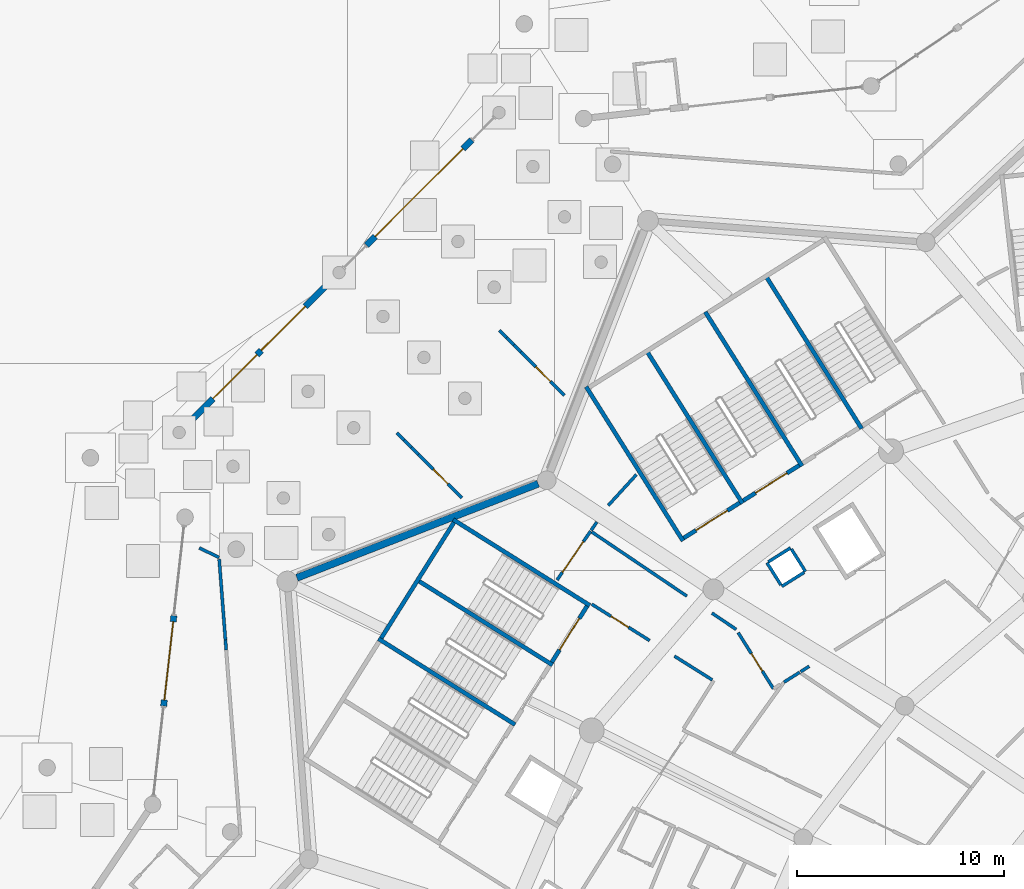
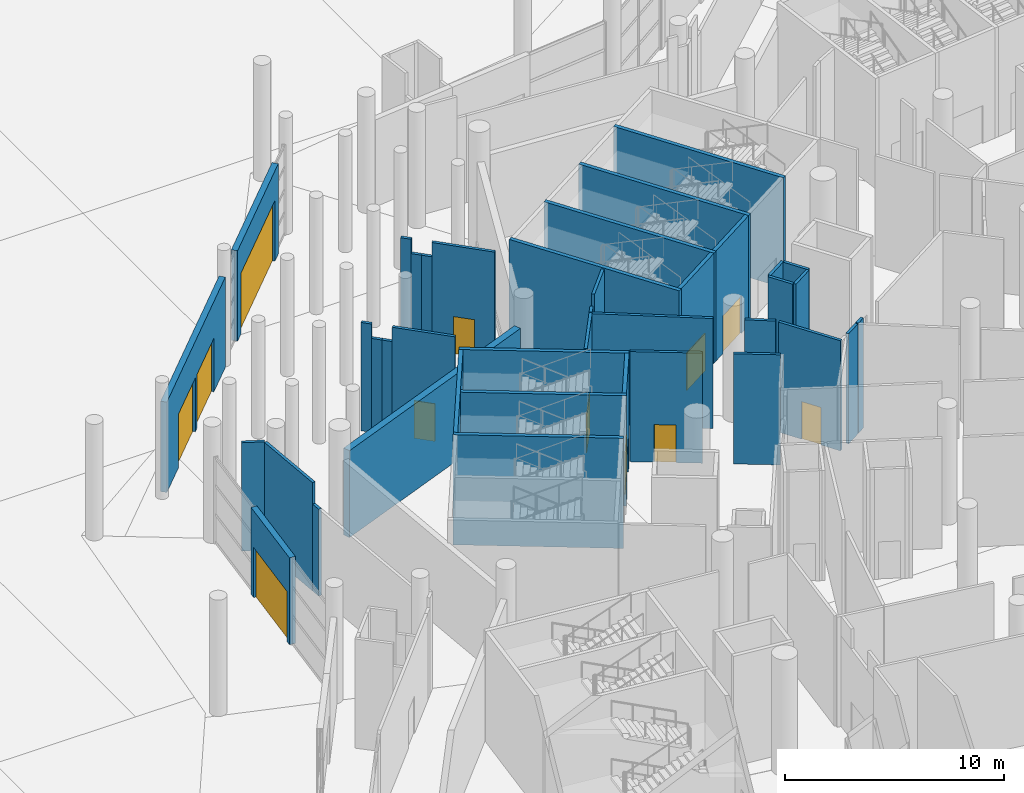
# One storey, part 138 of 255: 40 walls, 12 doors, 12 openings.
"""IFC4 building model written with IfcOpenShell, lengths in metres."""

from ifc_helpers import new_model, si_unit, direction, frame, frame_2d, origin, place, context, subcontext, project, spatial, rectangle, extrude, material, layer, layer_set, type_object, element, fill, save


model = new_model("IFC4")

# Units and contexts
model_context = context("Model", 3, precision=1e-05, world=origin(), true_north=direction((0.0, 1.0)))
body_context = subcontext(model_context, "Body", "Model", "MODEL_VIEW")
ifc_project = project(units=[si_unit("LENGTHUNIT", "METRE"), si_unit("AREAUNIT", "SQUARE_METRE"), si_unit("VOLUMEUNIT", "CUBIC_METRE"), si_unit("PLANEANGLEUNIT", "RADIAN"), si_unit("MASSUNIT", "GRAM", prefix="KILO")], contexts=[model_context])

# Site, building, storey
site_placement = place(None, origin())
site = spatial("IfcSite", under=ifc_project, at=site_placement, CompositionType="ELEMENT")
building_placement = place(site_placement, origin())
building = spatial("IfcBuilding", under=site, at=building_placement, Name="Meseta Stadium", CompositionType="ELEMENT")
storey_placement = place(building_placement, origin())
storey = spatial("IfcBuildingStorey", under=building, at=storey_placement, Name="L00", CompositionType="ELEMENT", Elevation=0.0)

# Walls
ifc_material_1 = material(Name="Concrete C40/50", Category="concrete")
ifc_layer_1 = layer(ifc_material_1, 0.199951171875)
ifc_layer_set_1 = layer_set([ifc_layer_1], Name="Core divider wall 200")
wall_type_1 = type_object("IfcWallType", Name="Core divider wall 200", PredefinedType="SHEAR", material=ifc_layer_set_1)
wall_1_placement = place(storey_placement, frame((-69.8291015625, 94.314453125, 0.0), z_axis=(0.0, 0.0, 1.0), x_axis=(0.532032334759, -0.846724036963, 0.0)))
element("IfcWall", 1, at=wall_1_placement, inside=storey, type_object=wall_type_1, Name="Core 13 L00 stair A divider wall", PredefinedType="SHEAR", context=body_context, shape_type="SweptSolid", body=[
    extrude(rectangle(XDim=8.800048828125, YDim=0.199951171875, at=frame_2d((4.39990234375, 0.0))), origin(), (0.0, 0.0, 1.0), 6.14990234375),
])
wall_2_placement = place(storey_placement, frame((-75.5869140625, 90.696533203125, 0.0), z_axis=(0.0, 0.0, 1.0), x_axis=(0.532044832901, -0.846716183726, 0.0)))
element("IfcWall", 2, at=wall_2_placement, inside=storey, type_object=wall_type_1, Name="Core 13 L00 stair B divider wall", PredefinedType="SHEAR", context=body_context, shape_type="SweptSolid", body=[
    extrude(rectangle(XDim=8.7998046875, YDim=0.199951171875, at=frame_2d((4.39990234375, 0.0))), origin(), (0.0, 0.0, 1.0), 6.14990234375),
])
wall_3_placement = place(storey_placement, frame((-86.696533203125, 79.5869140625, 0.0), z_axis=(0.0, 0.0, 1.0), x_axis=(0.846713903605, -0.532048461553, 0.0)))
element("IfcWall", 3, at=wall_3_placement, inside=storey, type_object=wall_type_1, Name="Core 14 L00 stair A divider wall", PredefinedType="SHEAR", context=body_context, shape_type="SweptSolid", body=[
    extrude(rectangle(XDim=7.7998046875, YDim=0.199951171875, at=frame_2d((3.89990234375, 0.0))), origin(), (0.0, 0.0, 1.0), 6.14990234375),
])
ifc_material_2 = material(Name="Concrete C40/50", Category="concrete")
ifc_layer_2 = layer(ifc_material_2, 0.199951171875)
ifc_layer_set_2 = layer_set([ifc_layer_2], Name="Core shaft wall 200")
wall_type_2 = type_object("IfcWallType", Name="Core shaft wall 200", PredefinedType="SHEAR", material=ifc_layer_set_2)
for number, where, z_axis, x_axis, name in (
    (4, (-72.7080078125, 92.505615234375, 0.0), (0.0, 0.0, 1.0), (0.532032334759, -0.846724036963, 0.0), "Core 13 L00 stair wall shared"),
    (5, (-78.4658203125, 88.8876953125, 0.0), (0.0, 0.0, 1.0), (0.532032334759, -0.846724036963, 0.0), "Core 13 L00 stair wall B-side"),
):
    element("IfcWall", number, at=place(storey_placement, frame(where, z_axis=z_axis, x_axis=x_axis)), inside=storey, type_object=wall_type_2, Name=name, PredefinedType="SHEAR", context=body_context, shape_type="SweptSolid", body=[
        extrude(rectangle(XDim=8.800048828125, YDim=0.199951171875, at=frame_2d((4.39990234375, 0.0))), origin(), (0.0, 0.0, 1.0), 6.14990234375),
    ])

# Wall, opening, door
wall_4_placement = place(storey_placement, frame((-68.1640625, 85.0859375, 0.0), z_axis=(0.0, 0.0, 1.0), x_axis=(-0.84670136309, -0.53206841829, 0.0)))
wall_4 = element("IfcWall", 6, at=wall_4_placement, inside=storey, type_object=wall_type_2, Name="Core 13 L00 stair B1 inner end wall", PredefinedType="SHEAR", context=body_context, shape_type="SweptSolid", body=[
    extrude(rectangle(XDim=3.199951171875, YDim=0.199951171875, at=frame_2d((1.60009765625, 0.0))), origin(), (0.0, 0.0, 1.0), 6.14990234375),
])
opening_1_placement = place(wall_4_placement, frame((0.699951171875, 0.0, 0.0)))
opening_1 = element("IfcOpeningElement", 7, at=opening_1_placement, cuts=wall_4, Name="Opening D181", PredefinedType="OPENING", context=body_context, shape_type="SweptSolid", body=[
    extrude(rectangle(XDim=1.800048828125, YDim=2.10009765625, at=frame_2d((0.89990234375, 1.050048828125))), frame((0.0, 0.10986328125, 0.0), z_axis=(0.0, -1.0, 0.0), x_axis=(1.0, 0.0, 0.0)), (0.0, 0.0, 1.0), 0.219970703125),
])
ifc_material_3 = material(Name="Steel", Category="steel")
door_type_1 = type_object("IfcDoorType", Name="Stair door 1800x2100", OperationType="DOUBLE_DOOR_SINGLE_SWING", PredefinedType="DOOR", material=ifc_material_3)
door_1_placement = place(opening_1_placement, origin())
door_1 = element("IfcDoor", 8, at=door_1_placement, inside=storey, type_object=door_type_1, Name="Stair B1 door 13 L00", OperationType="DOUBLE_DOOR_SINGLE_SWING", OverallHeight=2.10009765625, OverallWidth=1.800048828125, PredefinedType="DOOR", context=body_context, shape_type="SweptSolid", body=[
    extrude(rectangle(XDim=1.800048828125, YDim=2.10009765625, at=frame_2d((0.89990234375, 1.050048828125))), frame((0.0, 0.02490234375, 0.0), z_axis=(0.0, -1.0, 0.0), x_axis=(1.0, 0.0, 0.0)), (0.0, 0.0, 1.0), 0.050048828125),
])
fill(opening_1, door_1)

wall_5_placement = place(storey_placement, frame((-71.04296875, 83.27685546875, 0.0), z_axis=(0.0, 0.0, 1.0), x_axis=(-0.846735733015, -0.532013720158, 0.0)))
wall_5 = element("IfcWall", 9, at=wall_5_placement, inside=storey, type_object=wall_type_2, Name="Core 13 L00 stair B2 inner end wall", PredefinedType="SHEAR", context=body_context, shape_type="SweptSolid", body=[
    extrude(rectangle(XDim=3.199951171875, YDim=0.199951171875, at=frame_2d((1.60009765625, 0.0))), origin(), (0.0, 0.0, 1.0), 6.14990234375),
])
opening_2_placement = place(wall_5_placement, frame((0.699951171875, 0.0, 0.0)))
opening_2 = element("IfcOpeningElement", 10, at=opening_2_placement, cuts=wall_5, Name="Opening D182", PredefinedType="OPENING", context=body_context, shape_type="SweptSolid", body=[
    extrude(rectangle(XDim=1.800048828125, YDim=2.10009765625, at=frame_2d((0.89990234375, 1.050048828125))), frame((0.0, 0.10986328125, 0.0), z_axis=(0.0, -1.0, 0.0), x_axis=(1.0, 0.0, 0.0)), (0.0, 0.0, 1.0), 0.219970703125),
])
door_2_placement = place(opening_2_placement, origin())
door_2 = element("IfcDoor", 11, at=door_2_placement, inside=storey, type_object=door_type_1, Name="Stair B2 door 13 L00", OperationType="DOUBLE_DOOR_SINGLE_SWING", OverallHeight=2.10009765625, OverallWidth=1.800048828125, PredefinedType="DOOR", context=body_context, shape_type="SweptSolid", body=[
    extrude(rectangle(XDim=1.800048828125, YDim=2.10009765625, at=frame_2d((0.89990234375, 1.050048828125))), frame((0.0, 0.02490234375, 0.0), z_axis=(0.0, -1.0, 0.0), x_axis=(1.0, 0.0, 0.0)), (0.0, 0.0, 1.0), 0.050048828125),
])
fill(opening_2, door_2)

# Walls
for number, where, z_axis, x_axis, name in (
    (12, (-84.8876953125, 82.4658203125, 0.0), (0.0, 0.0, 1.0), (0.846722763703, -0.532034361135, 0.0), "Core 14 L00 stair wall A-side"),
    (13, (-88.505615234375, 76.7080078125, 0.0), (0.0, 0.0, 1.0), (0.846722763703, -0.532034361135, 0.0), "Core 14 L00 stair wall shared"),
):
    element("IfcWall", number, at=place(storey_placement, frame(where, z_axis=z_axis, x_axis=x_axis)), inside=storey, type_object=wall_type_2, Name=name, PredefinedType="SHEAR", context=body_context, shape_type="SweptSolid", body=[
        extrude(rectangle(XDim=7.800048828125, YDim=0.199951171875, at=frame_2d((3.89990234375, 0.0))), origin(), (0.0, 0.0, 1.0), 6.14990234375),
    ])
wall_6_placement = place(storey_placement, frame((-84.856201171875, 82.327880859375, 0.0), z_axis=(0.0, 0.0, 1.0), x_axis=(-0.532038964807, -0.846719870989, 0.0)))
element("IfcWall", 14, at=wall_6_placement, inside=storey, type_object=wall_type_2, Name="Core 14 L00 stair A outer end wall", PredefinedType="SHEAR", context=body_context, shape_type="SweptSolid", body=[
    extrude(rectangle(XDim=6.60009765625, YDim=0.199951171875, at=frame_2d((3.300048828125, 0.0))), origin(), (0.0, 0.0, 1.0), 6.14990234375),
])

# Wall, opening, door
wall_7_placement = place(storey_placement, frame((-78.421142578125, 78.284423828125, 0.0), z_axis=(0.0, 0.0, 1.0), x_axis=(-0.53206841829, -0.84670136309, 0.0)))
wall_7 = element("IfcWall", 15, at=wall_7_placement, inside=storey, type_object=wall_type_2, Name="Core 14 L00 stair A1 inner end wall", PredefinedType="SHEAR", context=body_context, shape_type="SweptSolid", body=[
    extrude(rectangle(XDim=3.199951171875, YDim=0.199951171875, at=frame_2d((1.60009765625, 0.0))), origin(), (0.0, 0.0, 1.0), 6.14990234375),
])
opening_3_placement = place(wall_7_placement, frame((0.699951171875, 0.0, 0.0)))
opening_3 = element("IfcOpeningElement", 16, at=opening_3_placement, cuts=wall_7, Name="Opening D191", PredefinedType="OPENING", context=body_context, shape_type="SweptSolid", body=[
    extrude(rectangle(XDim=1.800048828125, YDim=2.10009765625, at=frame_2d((0.89990234375, 1.050048828125))), frame((0.0, 0.10986328125, 0.0), z_axis=(0.0, -1.0, 0.0), x_axis=(1.0, 0.0, 0.0)), (0.0, 0.0, 1.0), 0.219970703125),
])
door_3_placement = place(opening_3_placement, origin())
door_3 = element("IfcDoor", 17, at=door_3_placement, inside=storey, type_object=door_type_1, Name="Stair A1 door 14 L00", OperationType="DOUBLE_DOOR_SINGLE_SWING", OverallHeight=2.10009765625, OverallWidth=1.800048828125, PredefinedType="DOOR", context=body_context, shape_type="SweptSolid", body=[
    extrude(rectangle(XDim=1.800048828125, YDim=2.10009765625, at=frame_2d((0.89990234375, 1.050048828125))), frame((0.0, 0.02490234375, 0.0), z_axis=(0.0, -1.0, 0.0), x_axis=(1.0, 0.0, 0.0)), (0.0, 0.0, 1.0), 0.050048828125),
])
fill(opening_3, door_3)

ifc_material_4 = material(Name="Precast concrete C40/50", Category="concrete")
ifc_layer_3 = layer(ifc_material_4, 0.300048828125)
ifc_layer_set_3 = layer_set([ifc_layer_3], Name="Gate facade panel wall 300")
wall_type_3 = type_object("IfcWallType", Name="Gate facade panel wall 300", PredefinedType="SOLIDWALL", material=ifc_layer_set_3)
wall_8_placement = place(storey_placement, frame((-89.086181640625, 95.726318359375, 0.0), z_axis=(0.0, 0.0, 1.0), x_axis=(0.707106781187, 0.707106781187, 0.0)))
wall_8 = element("IfcWall", 18, at=wall_8_placement, inside=storey, type_object=wall_type_3, Name="Gate 4 entrance wall", PredefinedType="SOLIDWALL", context=body_context, shape_type="SweptSolid", body=[
    extrude(rectangle(XDim=7.199951171875, YDim=0.300048828125, at=frame_2d((3.60009765625, 0.0))), origin(), (0.0, 0.0, 1.0), 5.050048828125),
])
opening_4_placement = place(wall_8_placement, frame((0.60009765625, 0.0, 0.0)))
opening_4 = element("IfcOpeningElement", 19, at=opening_4_placement, cuts=wall_8, Name="Opening D014", PredefinedType="OPENING", context=body_context, shape_type="SweptSolid", body=[
    extrude(rectangle(XDim=6.0, YDim=3.39990234375, at=frame_2d((3.0, 1.699951171875))), frame((0.0, 0.159912109375, 0.0), z_axis=(0.0, -1.0, 0.0), x_axis=(1.0, 0.0, 0.0)), (0.0, 0.0, 1.0), 0.320068359375),
])
ifc_material_5 = material(Name="Steel", Category="steel")
door_type_2 = type_object("IfcDoorType", Name="Main entrance door 6000x3400", OperationType="DOUBLE_DOOR_SINGLE_SWING", PredefinedType="DOOR", material=ifc_material_5)
door_4_placement = place(opening_4_placement, origin())
door_4 = element("IfcDoor", 20, at=door_4_placement, inside=storey, type_object=door_type_2, Name="Main entrance E4", OperationType="DOUBLE_DOOR_SINGLE_SWING", OverallHeight=3.39990234375, OverallWidth=6.0, PredefinedType="DOOR", context=body_context, shape_type="SweptSolid", body=[
    extrude(rectangle(XDim=6.0, YDim=3.39990234375, at=frame_2d((3.0, 1.699951171875))), frame((0.0, 0.02490234375, 0.0), z_axis=(0.0, -1.0, 0.0), x_axis=(1.0, 0.0, 0.0)), (0.0, 0.0, 1.0), 0.050048828125),
])
fill(opening_4, door_4)

# Wall, openings, doors
wall_9_placement = place(storey_placement, frame((-97.925537109375, 86.88720703125, 0.0), z_axis=(0.0, 0.0, 1.0), x_axis=(0.707118593961, 0.707094968215, 0.0)))
wall_9 = element("IfcWall", 21, at=wall_9_placement, inside=storey, type_object=wall_type_3, Name="Gate 4 entrance wall", PredefinedType="SOLIDWALL", context=body_context, shape_type="SweptSolid", body=[
    extrude(rectangle(XDim=10.333740234375, YDim=0.300048828125, at=frame_2d((5.1669921875, 0.0))), origin(), (0.0, 0.0, 1.0), 5.050048828125),
])
opening_5_placement = place(wall_9_placement, frame((5.31689453125, 0.0, 0.0)))
opening_5 = element("IfcOpeningElement", 22, at=opening_5_placement, cuts=wall_9, Name="Opening D015", PredefinedType="OPENING", context=body_context, shape_type="SweptSolid", body=[
    extrude(rectangle(XDim=3.0, YDim=3.0, at=frame_2d((1.5, 1.5))), frame((0.0, 0.159912109375, 0.0), z_axis=(0.0, -1.0, 0.0), x_axis=(1.0, 0.0, 0.0)), (0.0, 0.0, 1.0), 0.320068359375),
])
opening_6_placement = place(wall_9_placement, frame((2.016845703125, 0.0, 0.0)))
opening_6 = element("IfcOpeningElement", 23, at=opening_6_placement, cuts=wall_9, Name="Opening D016", PredefinedType="OPENING", context=body_context, shape_type="SweptSolid", body=[
    extrude(rectangle(XDim=3.0, YDim=3.0, at=frame_2d((1.5, 1.5))), frame((0.0, 0.159912109375, 0.0), z_axis=(0.0, -1.0, 0.0), x_axis=(1.0, 0.0, 0.0)), (0.0, 0.0, 1.0), 0.320068359375),
])
ifc_material_6 = material(Name="Steel", Category="steel")
door_type_3 = type_object("IfcDoorType", Name="Pedestrian exit door 3000x3000", OperationType="DOUBLE_DOOR_SINGLE_SWING", PredefinedType="DOOR", material=ifc_material_6)
door_5_placement = place(opening_5_placement, origin())
door_5 = element("IfcDoor", 24, at=door_5_placement, inside=storey, type_object=door_type_3, Name="Pedestrian exit gate G4", OperationType="DOUBLE_DOOR_SINGLE_SWING", OverallHeight=3.0, OverallWidth=3.0, PredefinedType="DOOR", context=body_context, shape_type="SweptSolid", body=[
    extrude(rectangle(XDim=3.0, YDim=3.0, at=frame_2d((1.5, 1.5))), frame((0.0, 0.02490234375, 0.0), z_axis=(0.0, -1.0, 0.0), x_axis=(1.0, 0.0, 0.0)), (0.0, 0.0, 1.0), 0.050048828125),
])
fill(opening_5, door_5)
door_6_placement = place(opening_6_placement, origin())
door_6 = element("IfcDoor", 25, at=door_6_placement, inside=storey, type_object=door_type_3, Name="Pedestrian exit gate G4", OperationType="DOUBLE_DOOR_SINGLE_SWING", OverallHeight=3.0, OverallWidth=3.0, PredefinedType="DOOR", context=body_context, shape_type="SweptSolid", body=[
    extrude(rectangle(XDim=3.0, YDim=3.0, at=frame_2d((1.5, 1.5))), frame((0.0, 0.02490234375, 0.0), z_axis=(0.0, -1.0, 0.0), x_axis=(1.0, 0.0, 0.0)), (0.0, 0.0, 1.0), 0.050048828125),
])
fill(opening_6, door_6)

# Wall, opening, door
ifc_material_7 = material(Name="Masonry blockwork", Category="masonry")
ifc_layer_4 = layer(ifc_material_7, 0.14990234375)
ifc_layer_set_4 = layer_set([ifc_layer_4], Name="Partition 150")
wall_type_4 = type_object("IfcWallType", Name="Partition 150", PredefinedType="PARTITIONING", material=ifc_layer_set_4)
wall_10_placement = place(storey_placement, frame((-79.519287109375, 88.468994140625, 0.0), z_axis=(0.0, 0.0, 1.0), x_axis=(-0.707106781187, 0.707106781187, 0.0)))
wall_10 = element("IfcWall", 26, at=wall_10_placement, inside=storey, type_object=wall_type_4, Name="Partition L00 G4-L00-0-SecurityScreening-0", PredefinedType="PARTITIONING", context=body_context, shape_type="SweptSolid", body=[
    extrude(rectangle(XDim=2.96435546875, YDim=0.14990234375, at=frame_2d((1.482177734375, 0.0))), origin(), (0.0, 0.0, 1.0), 6.050048828125),
])
opening_7_placement = place(wall_10_placement, frame((0.949951171875, 0.0, 0.0)))
opening_7 = element("IfcOpeningElement", 27, at=opening_7_placement, cuts=wall_10, Name="Opening D521", PredefinedType="OPENING", context=body_context, shape_type="SweptSolid", body=[
    extrude(rectangle(XDim=1.0, YDim=2.10009765625, at=frame_2d((0.5, 1.050048828125))), frame((0.0, 0.0849609375, 0.0), z_axis=(0.0, -1.0, 0.0), x_axis=(1.0, 0.0, 0.0)), (0.0, 0.0, 1.0), 0.169921875),
])
ifc_material_8 = material(Name="Steel", Category="steel")
door_type_4 = type_object("IfcDoorType", Name="Fire door 1000x2100 EI2 60", OperationType="NOTDEFINED", PredefinedType="DOOR", material=ifc_material_8)
door_7_placement = place(opening_7_placement, origin())
door_7 = element("IfcDoor", 28, at=door_7_placement, inside=storey, type_object=door_type_4, Name="Door D521", OperationType="SINGLE_SWING_RIGHT", OverallHeight=2.10009765625, OverallWidth=1.0, PredefinedType="DOOR", context=body_context, shape_type="SweptSolid", body=[
    extrude(rectangle(XDim=1.0, YDim=2.10009765625, at=frame_2d((0.5, 1.050048828125))), frame((0.0, 0.02490234375, 0.0), z_axis=(0.0, -1.0, 0.0), x_axis=(1.0, 0.0, 0.0)), (0.0, 0.0, 1.0), 0.050048828125),
])
fill(opening_7, door_7)

# Walls
for number, where, z_axis, x_axis, name in (
    (29, (-81.615478515625, 90.565185546875, 0.0), (0.0, 0.0, 1.0), (-0.707106781187, 0.707106781187, 0.0), "Partition L00 G4-L00-0-SecurityScreening-0"),
    (30, (-81.96484375, 90.91455078125, 0.0), (0.0, 0.0, 1.0), (-0.707106781187, 0.707106781187, 0.0), "Partition L00 G4-L00-0-SecurityScreening-0"),
):
    element("IfcWall", number, at=place(storey_placement, frame(where, z_axis=z_axis, x_axis=x_axis)), inside=storey, type_object=wall_type_4, Name=name, PredefinedType="PARTITIONING", context=body_context, shape_type="SweptSolid", body=[
        extrude(rectangle(XDim=0.494140625, YDim=0.14990234375, at=frame_2d((0.2470703125, 0.0))), origin(), (0.0, 0.0, 1.0), 5.25),
    ])
wall_11_placement = place(storey_placement, frame((-82.314208984375, 91.263916015625, 0.0), z_axis=(0.0, 0.0, 1.0), x_axis=(-0.707106781187, 0.707106781187, 0.0)))
element("IfcWall", 31, at=wall_11_placement, inside=storey, type_object=wall_type_4, Name="Partition L00 G4-L00-0-SecurityScreening-0", PredefinedType="PARTITIONING", context=body_context, shape_type="SweptSolid", body=[
    extrude(rectangle(XDim=0.494140625, YDim=0.14990234375, at=frame_2d((0.2470703125, 0.0))), origin(), (0.0, 0.0, 1.0), 6.050048828125),
])

# Wall, opening, door
wall_12_placement = place(storey_placement, frame((-86.565185546875, 85.615478515625, 0.0), z_axis=(0.0, 0.0, 1.0), x_axis=(0.707106781187, -0.707106781187, 0.0)))
wall_12 = element("IfcWall", 32, at=wall_12_placement, inside=storey, type_object=wall_type_4, Name="Partition L00 G4-L00-1-TicketHall-0", PredefinedType="PARTITIONING", context=body_context, shape_type="SweptSolid", body=[
    extrude(rectangle(XDim=2.96435546875, YDim=0.14990234375, at=frame_2d((1.482177734375, 0.0))), origin(), (0.0, 0.0, 1.0), 6.050048828125),
])
opening_8_placement = place(wall_12_placement, frame((1.014404296875, 0.0, 0.0)))
opening_8 = element("IfcOpeningElement", 33, at=opening_8_placement, cuts=wall_12, Name="Opening D522", PredefinedType="OPENING", context=body_context, shape_type="SweptSolid", body=[
    extrude(rectangle(XDim=1.0, YDim=2.10009765625, at=frame_2d((0.5, 1.050048828125))), frame((0.0, 0.0849609375, 0.0), z_axis=(0.0, -1.0, 0.0), x_axis=(1.0, 0.0, 0.0)), (0.0, 0.0, 1.0), 0.169921875),
])
door_8_placement = place(opening_8_placement, origin())
door_8 = element("IfcDoor", 34, at=door_8_placement, inside=storey, type_object=door_type_4, Name="Door D522", OperationType="SINGLE_SWING_RIGHT", OverallHeight=2.10009765625, OverallWidth=1.0, PredefinedType="DOOR", context=body_context, shape_type="SweptSolid", body=[
    extrude(rectangle(XDim=1.0, YDim=2.10009765625, at=frame_2d((0.5, 1.050048828125))), frame((0.0, 0.02490234375, 0.0), z_axis=(0.0, -1.0, 0.0), x_axis=(1.0, 0.0, 0.0)), (0.0, 0.0, 1.0), 0.050048828125),
])
fill(opening_8, door_8)

# Walls
for number, where, z_axis, x_axis, name in (
    (35, (-86.565185546875, 85.615478515625, 0.0), (0.0, 0.0, 1.0), (-0.707106781187, 0.707106781187, 0.0), "Partition L00 G4-L00-1-TicketHall-0"),
    (36, (-86.91455078125, 85.96484375, 0.0), (0.0, 0.0, 1.0), (-0.707106781187, 0.707106781187, 0.0), "Partition L00 G4-L00-1-TicketHall-0"),
):
    element("IfcWall", number, at=place(storey_placement, frame(where, z_axis=z_axis, x_axis=x_axis)), inside=storey, type_object=wall_type_4, Name=name, PredefinedType="PARTITIONING", context=body_context, shape_type="SweptSolid", body=[
        extrude(rectangle(XDim=0.494140625, YDim=0.14990234375, at=frame_2d((0.2470703125, 0.0))), origin(), (0.0, 0.0, 1.0), 5.25),
    ])
wall_13_placement = place(storey_placement, frame((-87.263916015625, 86.314208984375, 0.0), z_axis=(0.0, 0.0, 1.0), x_axis=(-0.707106781187, 0.707106781187, 0.0)))
element("IfcWall", 37, at=wall_13_placement, inside=storey, type_object=wall_type_4, Name="Partition L00 G4-L00-1-TicketHall-0", PredefinedType="PARTITIONING", context=body_context, shape_type="SweptSolid", body=[
    extrude(rectangle(XDim=0.494140625, YDim=0.14990234375, at=frame_2d((0.2470703125, 0.0))), origin(), (0.0, 0.0, 1.0), 6.050048828125),
])
wall_14_placement = place(storey_placement, frame((-68.9052734375, 74.60693359375, 0.0), z_axis=(0.0, 0.0, 1.0), x_axis=(0.846685421886, 0.532093785311, 0.0)))
element("IfcWall", 38, at=wall_14_placement, inside=storey, type_object=wall_type_4, Name="Partition L00 L00-cell12-1-0b1", PredefinedType="PARTITIONING", context=body_context, shape_type="SweptSolid", body=[
    extrude(rectangle(XDim=0.900146484375, YDim=0.14990234375, at=frame_2d((0.4501953125, 0.0))), origin(), (0.0, 0.0, 1.0), 6.14990234375),
])
wall_15_placement = place(storey_placement, frame((-68.0966796875, 75.114990234375, 0.0), z_axis=(0.0, 0.0, 1.0), x_axis=(0.8466172136, 0.532202305178, 0.0)))
element("IfcWall", 39, at=wall_15_placement, inside=storey, type_object=wall_type_4, Name="Partition L00 L00-cell12-1-0w", PredefinedType="PARTITIONING", context=body_context, shape_type="SweptSolid", body=[
    extrude(rectangle(XDim=0.487548828125, YDim=0.14990234375, at=frame_2d((0.24365234375, 0.0))), origin(), (0.0, 0.0, 1.0), 6.14990234375),
])

# Wall, opening, door
wall_16_placement = place(storey_placement, frame((-78.249267578125, 81.908203125, 0.0), z_axis=(0.0, 0.0, 1.0), x_axis=(-0.565967564826, -0.824427507768, 0.0)))
wall_16 = element("IfcWall", 40, at=wall_16_placement, inside=storey, type_object=wall_type_4, Name="Partition L00 L00-cell12-2-0a", PredefinedType="PARTITIONING", context=body_context, shape_type="SweptSolid", body=[
    extrude(rectangle(XDim=2.862060546875, YDim=0.14990234375, at=frame_2d((1.43115234375, 0.0))), origin(), (0.0, 0.0, 1.0), 6.14990234375),
])
opening_9_placement = place(wall_16_placement, frame((0.6123046875, 0.0, 0.0)))
opening_9 = element("IfcOpeningElement", 41, at=opening_9_placement, cuts=wall_16, Name="Opening D573", PredefinedType="OPENING", context=body_context, shape_type="SweptSolid", body=[
    extrude(rectangle(XDim=1.800048828125, YDim=2.10009765625, at=frame_2d((0.89990234375, 1.050048828125))), frame((0.0, 0.0849609375, 0.0), z_axis=(0.0, -1.0, 0.0), x_axis=(1.0, 0.0, 0.0)), (0.0, 0.0, 1.0), 0.169921875),
])
ifc_material_9 = material(Name="Timber", Category="wood")
door_type_5 = type_object("IfcDoorType", Name="Room double door 1800x2100", OperationType="DOUBLE_DOOR_SINGLE_SWING", PredefinedType="DOOR", material=ifc_material_9)
door_9_placement = place(opening_9_placement, origin())
door_9 = element("IfcDoor", 42, at=door_9_placement, inside=storey, type_object=door_type_5, Name="Door D573", OperationType="DOUBLE_DOOR_SINGLE_SWING", OverallHeight=2.10009765625, OverallWidth=1.800048828125, PredefinedType="DOOR", context=body_context, shape_type="SweptSolid", body=[
    extrude(rectangle(XDim=1.800048828125, YDim=2.10009765625, at=frame_2d((0.89990234375, 1.050048828125))), frame((0.0, 0.02490234375, 0.0), z_axis=(0.0, -1.0, 0.0), x_axis=(1.0, 0.0, 0.0)), (0.0, 0.0, 1.0), 0.050048828125),
])
fill(opening_9, door_9)

# Wall
wall_17_placement = place(storey_placement, frame((-78.18701171875, 81.8662109375, 0.0), z_axis=(0.0, 0.0, 1.0), x_axis=(0.828824676241, -0.559508405705, 0.0)))
element("IfcWall", 43, at=wall_17_placement, inside=storey, type_object=wall_type_4, Name="Partition L00 L00-cell12-2-0a", PredefinedType="PARTITIONING", context=body_context, shape_type="SweptSolid", body=[
    extrude(rectangle(XDim=5.54345703125, YDim=0.14990234375, at=frame_2d((2.771728515625, 0.0))), origin(), (0.0, 0.0, 1.0), 6.14990234375),
])

# Wall, opening, door
wall_18_placement = place(storey_placement, frame((-75.398193359375, 76.621337890625, 0.0), z_axis=(0.0, 0.0, 1.0), x_axis=(-0.846738297009, 0.532009639365, 0.0)))
wall_18 = element("IfcWall", 44, at=wall_18_placement, inside=storey, type_object=wall_type_4, Name="Partition L00 L00-cell12-2-0a", PredefinedType="PARTITIONING", context=body_context, shape_type="SweptSolid", body=[
    extrude(rectangle(XDim=3.304443359375, YDim=0.14990234375, at=frame_2d((1.65234375, 0.0))), origin(), (0.0, 0.0, 1.0), 6.14990234375),
])
opening_10_placement = place(wall_18_placement, frame((1.199951171875, 0.0, 0.0)))
opening_10 = element("IfcOpeningElement", 45, at=opening_10_placement, cuts=wall_18, Name="Opening D571", PredefinedType="OPENING", context=body_context, shape_type="SweptSolid", body=[
    extrude(rectangle(XDim=1.0, YDim=2.10009765625, at=frame_2d((0.5, 1.050048828125))), frame((0.0, 0.0849609375, 0.0), z_axis=(0.0, -1.0, 0.0), x_axis=(1.0, 0.0, 0.0)), (0.0, 0.0, 1.0), 0.169921875),
])
ifc_material_10 = material(Name="Timber", Category="wood")
door_type_6 = type_object("IfcDoorType", Name="Room door 1000x2100", OperationType="NOTDEFINED", PredefinedType="DOOR", material=ifc_material_10)
door_10_placement = place(opening_10_placement, origin())
door_10 = element("IfcDoor", 46, at=door_10_placement, inside=storey, type_object=door_type_6, Name="Door D571", OperationType="SINGLE_SWING_RIGHT", OverallHeight=2.10009765625, OverallWidth=1.0, PredefinedType="DOOR", context=body_context, shape_type="SweptSolid", body=[
    extrude(rectangle(XDim=1.0, YDim=2.10009765625, at=frame_2d((0.5, 1.050048828125))), frame((0.0, 0.02490234375, 0.0), z_axis=(0.0, -1.0, 0.0), x_axis=(1.0, 0.0, 0.0)), (0.0, 0.0, 1.0), 0.050048828125),
])
fill(opening_10, door_10)

# Walls
wall_19_placement = place(storey_placement, frame((-72.366455078125, 74.71630859375, 0.0), z_axis=(0.0, 0.0, 1.0), x_axis=(-0.846758659638, 0.531977229144, 0.0)))
element("IfcWall", 47, at=wall_19_placement, inside=storey, type_object=wall_type_4, Name="Partition L00 L00-cell12-2-0b1", PredefinedType="PARTITIONING", context=body_context, shape_type="SweptSolid", body=[
    extrude(rectangle(XDim=2.16162109375, YDim=0.14990234375, at=frame_2d((1.080810546875, 0.0))), origin(), (0.0, 0.0, 1.0), 6.14990234375),
])
wall_20_placement = place(storey_placement, frame((-72.384765625, 77.949462890625, 0.0), z_axis=(0.0, 0.0, 1.0), x_axis=(0.828764490946, -0.55959755052, 0.0)))
element("IfcWall", 48, at=wall_20_placement, inside=storey, type_object=wall_type_4, Name="Partition L00 L00-cell12-2-0b1", PredefinedType="PARTITIONING", context=body_context, shape_type="SweptSolid", body=[
    extrude(rectangle(XDim=1.412353515625, YDim=0.14990234375, at=frame_2d((0.7060546875, 0.0))), origin(), (0.0, 0.0, 1.0), 6.14990234375),
])

# Wall, opening, door
wall_21_placement = place(storey_placement, frame((-71.115478515625, 77.002197265625, 0.0), z_axis=(0.0, 0.0, 1.0), x_axis=(0.532024845408, -0.846728742791, 0.0)))
wall_21 = element("IfcWall", 49, at=wall_21_placement, inside=storey, type_object=wall_type_4, Name="Partition L00 L00-cell12-2-0b1", PredefinedType="PARTITIONING", context=body_context, shape_type="SweptSolid", body=[
    extrude(rectangle(XDim=3.203857421875, YDim=0.14990234375, at=frame_2d((1.60205078125, 0.0))), origin(), (0.0, 0.0, 1.0), 6.14990234375),
])
opening_11_placement = place(wall_21_placement, frame((1.199951171875, 0.0, 0.0)))
opening_11 = element("IfcOpeningElement", 50, at=opening_11_placement, cuts=wall_21, Name="Opening D572", PredefinedType="OPENING", context=body_context, shape_type="SweptSolid", body=[
    extrude(rectangle(XDim=1.0, YDim=2.10009765625, at=frame_2d((0.5, 1.050048828125))), frame((0.0, 0.0849609375, 0.0), z_axis=(0.0, -1.0, 0.0), x_axis=(1.0, 0.0, 0.0)), (0.0, 0.0, 1.0), 0.169921875),
])
door_11_placement = place(opening_11_placement, origin())
door_11 = element("IfcDoor", 51, at=door_11_placement, inside=storey, type_object=door_type_6, Name="Door D572", OperationType="SINGLE_SWING_RIGHT", OverallHeight=2.10009765625, OverallWidth=1.0, PredefinedType="DOOR", context=body_context, shape_type="SweptSolid", body=[
    extrude(rectangle(XDim=1.0, YDim=2.10009765625, at=frame_2d((0.5, 1.050048828125))), frame((0.0, 0.02490234375, 0.0), z_axis=(0.0, -1.0, 0.0), x_axis=(1.0, 0.0, 0.0)), (0.0, 0.0, 1.0), 0.050048828125),
])
fill(opening_11, door_11)

# Walls
wall_22_placement = place(storey_placement, frame((-76.033935546875, 84.6416015625, 0.0), z_axis=(0.0, 0.0, 1.0), x_axis=(-0.674206513209, -0.738542874548, 0.0)))
element("IfcWall", 52, at=wall_22_placement, inside=storey, type_object=wall_type_4, Name="Partition L00 L00-cell12-3-0", PredefinedType="PARTITIONING", context=body_context, shape_type="SweptSolid", body=[
    extrude(rectangle(XDim=2.0263671875, YDim=0.14990234375, at=frame_2d((1.01318359375, 0.0))), origin(), (0.0, 0.0, 1.0), 6.14990234375),
])
wall_23_placement = place(storey_placement, frame((-77.947265625, 82.347900390625, 0.0), z_axis=(0.0, 0.0, 1.0), x_axis=(-0.566185807098, -0.824277642448, 0.0)))
element("IfcWall", 53, at=wall_23_placement, inside=storey, type_object=wall_type_4, Name="Partition L00 L00-cell12-3-0", PredefinedType="PARTITIONING", context=body_context, shape_type="SweptSolid", body=[
    extrude(rectangle(XDim=0.4833984375, YDim=0.14990234375, at=frame_2d((0.24169921875, 0.0))), origin(), (0.0, 0.0, 1.0), 6.14990234375),
])
wall_24_placement = place(storey_placement, frame((-97.164306640625, 81.096923828125, 0.0), z_axis=(0.0, 0.0, 1.0), x_axis=(0.901131483402, -0.433545902555, 0.0)))
element("IfcWall", 54, at=wall_24_placement, inside=storey, type_object=wall_type_4, Name="Partition L00 L00-ring13-0", PredefinedType="PARTITIONING", context=body_context, shape_type="SweptSolid", body=[
    extrude(rectangle(XDim=1.0615234375, YDim=0.14990234375, at=frame_2d((0.53076171875, 0.0))), origin(), (0.0, 0.0, 1.0), 6.050048828125),
])
wall_25_placement = place(storey_placement, frame((-96.201171875, 80.55029296875, 0.0), z_axis=(0.0, 0.0, 1.0), x_axis=(0.076969034149, -0.997033483782, 0.0)))
element("IfcWall", 55, at=wall_25_placement, inside=storey, type_object=wall_type_4, Name="Partition L00 L00-ring13-0", PredefinedType="PARTITIONING", context=body_context, shape_type="SweptSolid", body=[
    extrude(rectangle(XDim=3.904541015625, YDim=0.14990234375, at=frame_2d((1.9521484375, 0.0))), origin(), (0.0, 0.0, 1.0), 6.050048828125),
])
wall_26_placement = place(storey_placement, frame((-95.900634765625, 76.6572265625, 0.0), z_axis=(0.0, 0.0, 1.0), x_axis=(0.076846217139, -0.997042957405, 0.0)))
element("IfcWall", 56, at=wall_26_placement, inside=storey, type_object=wall_type_4, Name="Partition L00 L00-ring13-0", PredefinedType="PARTITIONING", context=body_context, shape_type="SweptSolid", body=[
    extrude(rectangle(XDim=0.498779296875, YDim=0.14990234375, at=frame_2d((0.24951171875, 0.0))), origin(), (0.0, 0.0, 1.0), 4.85009765625),
])
for number, where, z_axis, x_axis, name in (
    (57, (-68.58203125, 81.09912109375, 0.0), (0.0, 0.0, 1.0), (-0.846683377265, -0.532097038765, 0.0), "Pressurisation shaft wall L00 core 13"),
    (58, (-69.72509765625, 80.380859375, 0.0), (0.0, 0.0, 1.0), (0.532097038765, -0.846683377265, 0.0), "Pressurisation shaft wall L00 core 13"),
):
    element("IfcWall", number, at=place(storey_placement, frame(where, z_axis=z_axis, x_axis=x_axis)), inside=storey, type_object=wall_type_4, Name=name, PredefinedType="PARTITIONING", context=body_context, shape_type="SweptSolid", body=[
        extrude(rectangle(XDim=1.275146484375, YDim=0.14990234375, at=frame_2d((0.6376953125, 0.0))), origin(), (0.0, 0.0, 1.0), 6.14990234375),
    ])
for number, where, z_axis, x_axis, name in (
    (59, (-69.0068359375, 79.23779296875, 0.0), (0.0, 0.0, 1.0), (0.846769635862, 0.531959757672, 0.0), "Pressurisation shaft wall L00 core 13"),
    (60, (-67.86376953125, 79.9560546875, 0.0), (0.0, 0.0, 1.0), (-0.531959757672, 0.846769635862, 0.0), "Pressurisation shaft wall L00 core 13"),
):
    element("IfcWall", number, at=place(storey_placement, frame(where, z_axis=z_axis, x_axis=x_axis)), inside=storey, type_object=wall_type_4, Name=name, PredefinedType="PARTITIONING", context=body_context, shape_type="SweptSolid", body=[
        extrude(rectangle(XDim=1.27490234375, YDim=0.14990234375, at=frame_2d((0.637451171875, 0.0))), origin(), (0.0, 0.0, 1.0), 6.14990234375),
    ])
ifc_material_11 = material(Name="White precast concrete C40/50", Category="concrete")
ifc_layer_5 = layer(ifc_material_11, 0.35009765625)
ifc_layer_set_5 = layer_set([ifc_layer_5], Name="Pleated panel wall 350 gate")
wall_type_5 = type_object("IfcWallType", Name="Pleated panel wall 350 gate", PredefinedType="SOLIDWALL", material=ifc_layer_set_5)
wall_27_placement = place(storey_placement, frame((-92.443115234375, 79.656005859375, 0.0), z_axis=(0.0, 0.0, 1.0), x_axis=(0.931674762927, 0.363293457312, 0.0)))
element("IfcWall", 61, at=wall_27_placement, inside=storey, type_object=wall_type_5, Name="Pleated facade panel L00 F25", PredefinedType="SOLIDWALL", context=body_context, shape_type="SweptSolid", body=[
    extrude(rectangle(XDim=12.513671875, YDim=0.35009765625, at=frame_2d((6.2568359375, 0.0))), origin(), (0.0, 0.0, 1.0), 4.85009765625),
])

# Wall, opening, door
ifc_material_12 = material(Name="Precast concrete C40/50", Category="concrete")
ifc_layer_6 = layer(ifc_material_12, 0.300048828125)
ifc_layer_set_6 = layer_set([ifc_layer_6], Name="Ring facade panel wall 300")
wall_type_6 = type_object("IfcWallType", Name="Ring facade panel wall 300", PredefinedType="SOLIDWALL", material=ifc_layer_set_6)
wall_28_placement = place(storey_placement, frame((-98.88525390625, 73.451171875, 0.0), z_axis=(0.0, 0.0, 1.0), x_axis=(0.112471442865, 0.993654957488, 0.0)))
wall_28 = element("IfcWall", 62, at=wall_28_placement, inside=storey, type_object=wall_type_6, Name="Ring facade panel wall F26", PredefinedType="SOLIDWALL", context=body_context, shape_type="SweptSolid", body=[
    extrude(rectangle(XDim=4.39990234375, YDim=0.300048828125, at=frame_2d((2.199951171875, 0.0))), origin(), (0.0, 0.0, 1.0), 4.85009765625),
])
opening_12_placement = place(wall_28_placement, frame((0.300048828125, 0.0, 0.0)))
opening_12 = element("IfcOpeningElement", 63, at=opening_12_placement, cuts=wall_28, Name="Opening D950", PredefinedType="OPENING", context=body_context, shape_type="SweptSolid", body=[
    extrude(rectangle(XDim=3.800048828125, YDim=2.800048828125, at=frame_2d((1.89990234375, 1.39990234375))), frame((0.0, 0.159912109375, 0.0), z_axis=(0.0, -1.0, 0.0), x_axis=(1.0, 0.0, 0.0)), (0.0, 0.0, 1.0), 0.320068359375),
])
ifc_material_13 = material(Name="Steel", Category="steel")
door_type_7 = type_object("IfcDoorType", Name="Final exit door 3800x2800", OperationType="DOUBLE_DOOR_SINGLE_SWING", PredefinedType="DOOR", material=ifc_material_13)
door_12_placement = place(opening_12_placement, origin())
door_12 = element("IfcDoor", 64, at=door_12_placement, inside=storey, type_object=door_type_7, Name="Final exit F15", OperationType="DOUBLE_DOOR_SINGLE_SWING", OverallHeight=2.800048828125, OverallWidth=3.800048828125, PredefinedType="DOOR", context=body_context, shape_type="SweptSolid", body=[
    extrude(rectangle(XDim=3.800048828125, YDim=2.800048828125, at=frame_2d((1.89990234375, 1.39990234375))), frame((0.0, 0.02490234375, 0.0), z_axis=(0.0, -1.0, 0.0), x_axis=(1.0, 0.0, 0.0)), (0.0, 0.0, 1.0), 0.050048828125),
])
fill(opening_12, door_12)

save(model, "model.ifc")
